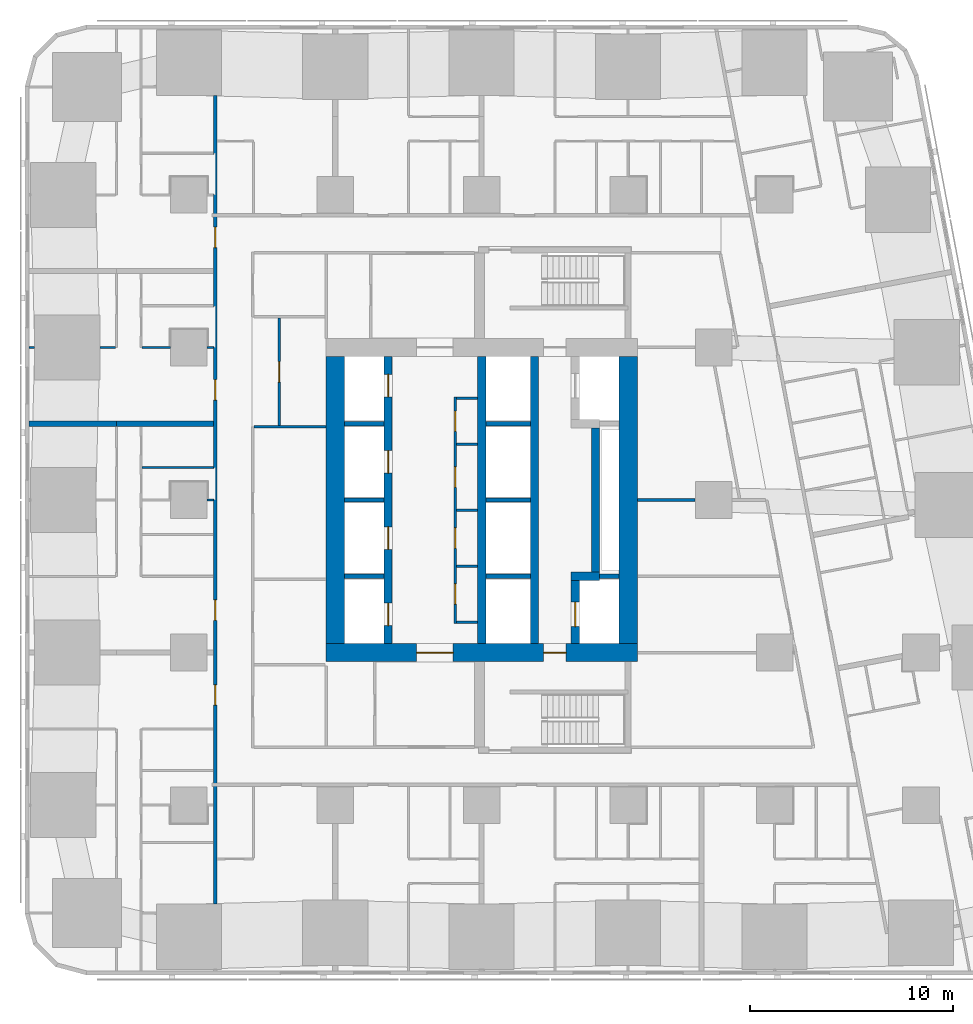
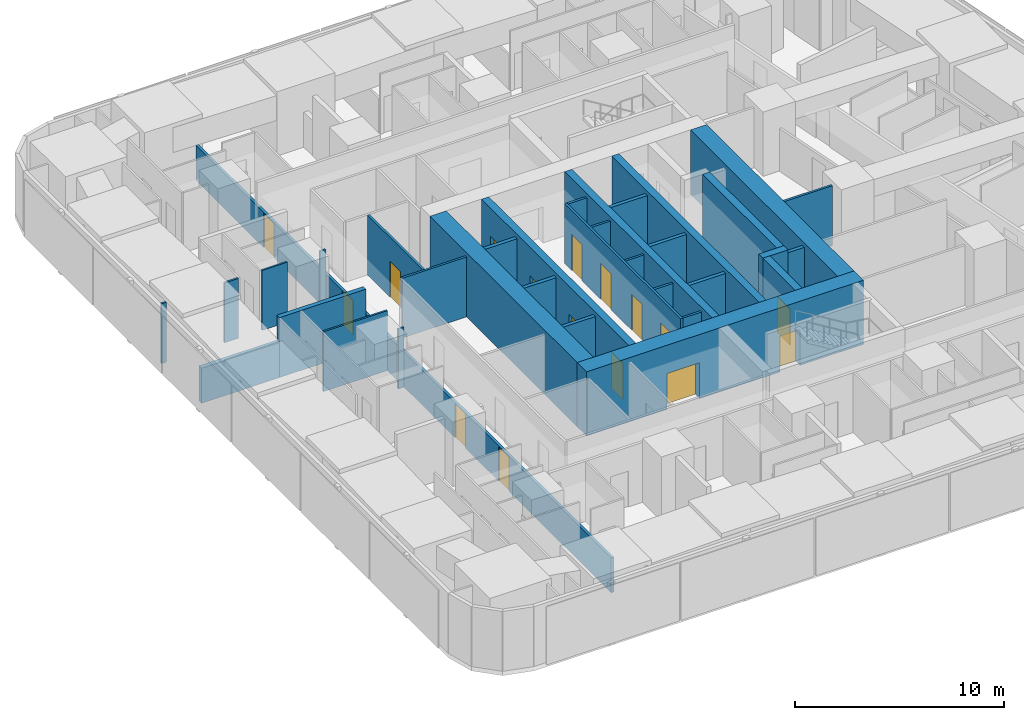
# One storey, part 6 of 17: 34 walls, 16 doors, 16 openings.
"""IFC4 building model written with IfcOpenShell, lengths in metres."""

from ifc_helpers import new_model, si_unit, direction, frame, frame_2d, origin, place, context, subcontext, project, spatial, rectangle, extrude, material, layer, layer_set, type_object, element, fill, save


model = new_model("IFC4")

# Units and contexts
model_context = context("Model", 3, precision=1e-05, world=origin(), true_north=direction((0.0, 1.0)))
body_context = subcontext(model_context, "Body", "Model", "MODEL_VIEW")
ifc_project = project(units=[si_unit("LENGTHUNIT", "METRE"), si_unit("AREAUNIT", "SQUARE_METRE"), si_unit("VOLUMEUNIT", "CUBIC_METRE"), si_unit("PLANEANGLEUNIT", "RADIAN"), si_unit("MASSUNIT", "GRAM", prefix="KILO")], contexts=[model_context])

# Site, building, storey
site_placement = place(None, origin())
site = spatial("IfcSite", under=ifc_project, at=site_placement, CompositionType="ELEMENT")
building_placement = place(site_placement, origin())
building = spatial("IfcBuilding", under=site, at=building_placement, Name="Sheger Commons Tower", CompositionType="ELEMENT")
storey_placement = place(building_placement, frame((0.0, 0.0, 27.5)))
storey = spatial("IfcBuildingStorey", under=building, at=storey_placement, Name="L06", CompositionType="ELEMENT", Elevation=27.5)

# Wall, openings, doors
ifc_material_1 = material(Name="Concrete C50/60", Category="concrete")
ifc_layer_1 = layer(ifc_material_1, 0.39990234375)
ifc_layer_set_1 = layer_set([ifc_layer_1], Name="CORE INNER WALL 400")
wall_type_1 = type_object("IfcWallType", Name="CORE INNER WALL 400", PredefinedType="SHEAR", material=ifc_layer_set_1)
wall_1_placement = place(storey_placement, frame((17.0, 15.449951171875, 0.0), z_axis=(0.0, 0.0, 1.0), x_axis=(0.0, 1.0, 0.0)))
wall_1 = element("IfcWall", 1, at=wall_1_placement, inside=storey, type_object=wall_type_1, Name="Core inner wall A L06", PredefinedType="SHEAR", context=body_context, shape_type="SweptSolid", body=[
    extrude(rectangle(XDim=14.10009765625, YDim=0.39990234375, at=frame_2d((7.050048828125, 0.0))), origin(), (0.0, 0.0, 1.0), 3.75),
])
opening_1_placement = place(wall_1_placement, frame((0.875, 0.0, 0.0)))
opening_1 = element("IfcOpeningElement", 2, at=opening_1_placement, cuts=wall_1, Name="Opening LD", PredefinedType="OPENING", context=body_context, shape_type="SweptSolid", body=[
    extrude(rectangle(XDim=1.10009765625, YDim=2.10009765625, at=frame_2d((0.550048828125, 1.050048828125))), frame((0.0, 0.2099609375, 0.0), z_axis=(0.0, -1.0, 0.0), x_axis=(1.0, 0.0, 0.0)), (0.0, 0.0, 1.0), 0.419921875),
])
opening_2_placement = place(wall_1_placement, frame((4.625, 0.0, 0.0)))
opening_2 = element("IfcOpeningElement", 3, at=opening_2_placement, cuts=wall_1, Name="Opening LD", PredefinedType="OPENING", context=body_context, shape_type="SweptSolid", body=[
    extrude(rectangle(XDim=1.10009765625, YDim=2.10009765625, at=frame_2d((0.550048828125, 1.050048828125))), frame((0.0, 0.2099609375, 0.0), z_axis=(0.0, -1.0, 0.0), x_axis=(1.0, 0.0, 0.0)), (0.0, 0.0, 1.0), 0.419921875),
])
opening_3_placement = place(wall_1_placement, frame((8.375, 0.0, 0.0)))
opening_3 = element("IfcOpeningElement", 4, at=opening_3_placement, cuts=wall_1, Name="Opening LD", PredefinedType="OPENING", context=body_context, shape_type="SweptSolid", body=[
    extrude(rectangle(XDim=1.10009765625, YDim=2.10009765625, at=frame_2d((0.550048828125, 1.050048828125))), frame((0.0, 0.2099609375, 0.0), z_axis=(0.0, -1.0, 0.0), x_axis=(1.0, 0.0, 0.0)), (0.0, 0.0, 1.0), 0.419921875),
])
opening_4_placement = place(wall_1_placement, frame((12.125, 0.0, 0.0)))
opening_4 = element("IfcOpeningElement", 5, at=opening_4_placement, cuts=wall_1, Name="Opening LD", PredefinedType="OPENING", context=body_context, shape_type="SweptSolid", body=[
    extrude(rectangle(XDim=1.10009765625, YDim=2.10009765625, at=frame_2d((0.550048828125, 1.050048828125))), frame((0.0, 0.2099609375, 0.0), z_axis=(0.0, -1.0, 0.0), x_axis=(1.0, 0.0, 0.0)), (0.0, 0.0, 1.0), 0.419921875),
])
ifc_material_2 = material(Name="Steel door set, fire rated", Category="steel")
door_type_1 = type_object("IfcDoorType", Name="LIFT LANDING DOOR 1100x2100", OperationType="DOUBLE_DOOR_SLIDING", PredefinedType="DOOR", material=ifc_material_2)
door_1_placement = place(opening_1_placement, origin())
door_1 = element("IfcDoor", 6, at=door_1_placement, inside=storey, type_object=door_type_1, Name="Lift LA1 landing door", OperationType="DOUBLE_DOOR_SLIDING", OverallHeight=2.10009765625, OverallWidth=1.10009765625, PredefinedType="DOOR", context=body_context, shape_type="SweptSolid", body=[
    extrude(rectangle(XDim=1.10009765625, YDim=2.10009765625, at=frame_2d((0.550048828125, 1.050048828125))), frame((0.0, 0.02490234375, 0.0), z_axis=(0.0, -1.0, 0.0), x_axis=(1.0, 0.0, 0.0)), (0.0, 0.0, 1.0), 0.050048828125),
])
fill(opening_1, door_1)
door_2_placement = place(opening_2_placement, origin())
door_2 = element("IfcDoor", 7, at=door_2_placement, inside=storey, type_object=door_type_1, Name="Lift LA2 landing door", OperationType="DOUBLE_DOOR_SLIDING", OverallHeight=2.10009765625, OverallWidth=1.10009765625, PredefinedType="DOOR", context=body_context, shape_type="SweptSolid", body=[
    extrude(rectangle(XDim=1.10009765625, YDim=2.10009765625, at=frame_2d((0.550048828125, 1.050048828125))), frame((0.0, 0.02490234375, 0.0), z_axis=(0.0, -1.0, 0.0), x_axis=(1.0, 0.0, 0.0)), (0.0, 0.0, 1.0), 0.050048828125),
])
fill(opening_2, door_2)
door_3_placement = place(opening_3_placement, origin())
door_3 = element("IfcDoor", 8, at=door_3_placement, inside=storey, type_object=door_type_1, Name="Lift LA3 landing door", OperationType="DOUBLE_DOOR_SLIDING", OverallHeight=2.10009765625, OverallWidth=1.10009765625, PredefinedType="DOOR", context=body_context, shape_type="SweptSolid", body=[
    extrude(rectangle(XDim=1.10009765625, YDim=2.10009765625, at=frame_2d((0.550048828125, 1.050048828125))), frame((0.0, 0.02490234375, 0.0), z_axis=(0.0, -1.0, 0.0), x_axis=(1.0, 0.0, 0.0)), (0.0, 0.0, 1.0), 0.050048828125),
])
fill(opening_3, door_3)
door_4_placement = place(opening_4_placement, origin())
door_4 = element("IfcDoor", 9, at=door_4_placement, inside=storey, type_object=door_type_1, Name="Lift LA4 landing door", OperationType="DOUBLE_DOOR_SLIDING", OverallHeight=2.10009765625, OverallWidth=1.10009765625, PredefinedType="DOOR", context=body_context, shape_type="SweptSolid", body=[
    extrude(rectangle(XDim=1.10009765625, YDim=2.10009765625, at=frame_2d((0.550048828125, 1.050048828125))), frame((0.0, 0.02490234375, 0.0), z_axis=(0.0, -1.0, 0.0), x_axis=(1.0, 0.0, 0.0)), (0.0, 0.0, 1.0), 0.050048828125),
])
fill(opening_4, door_4)

# Walls
for number, where, z_axis, x_axis, name in (
    (10, (21.60009765625, 15.449951171875, 0.0), (0.0, 0.0, 1.0), (0.0, 1.0, 0.0), "Core inner wall L L06"),
    (11, (24.199951171875, 15.449951171875, 0.0), (0.0, 0.0, 1.0), (0.0, 1.0, 0.0), "Core inner wall B L06"),
):
    element("IfcWall", number, at=place(storey_placement, frame(where, z_axis=z_axis, x_axis=x_axis)), inside=storey, type_object=wall_type_1, Name=name, PredefinedType="SHEAR", context=body_context, shape_type="SweptSolid", body=[
        extrude(rectangle(XDim=14.10009765625, YDim=0.39990234375, at=frame_2d((7.050048828125, 0.0))), origin(), (0.0, 0.0, 1.0), 3.75),
    ])

# Wall, opening, door
wall_2_placement = place(storey_placement, frame((26.199951171875, 15.449951171875, 0.0), z_axis=(0.0, 0.0, 1.0), x_axis=(0.0, 1.0, 0.0)))
wall_2 = element("IfcWall", 12, at=wall_2_placement, inside=storey, type_object=wall_type_1, Name="Core inner wall F L06", PredefinedType="SHEAR", context=body_context, shape_type="SweptSolid", body=[
    extrude(rectangle(XDim=3.10009765625, YDim=0.39990234375, at=frame_2d((1.550048828125, 0.0))), origin(), (0.0, 0.0, 1.0), 3.75),
])
opening_5_placement = place(wall_2_placement, frame((0.824951171875, 0.0, 0.0)))
opening_5 = element("IfcOpeningElement", 13, at=opening_5_placement, cuts=wall_2, Name="Opening LD2", PredefinedType="OPENING", context=body_context, shape_type="SweptSolid", body=[
    extrude(rectangle(XDim=1.199951171875, YDim=2.10009765625, at=frame_2d((0.60009765625, 1.050048828125))), frame((0.0, 0.2099609375, 0.0), z_axis=(0.0, -1.0, 0.0), x_axis=(1.0, 0.0, 0.0)), (0.0, 0.0, 1.0), 0.419921875),
])
ifc_material_3 = material(Name="Steel door set, fire rated", Category="steel")
door_type_2 = type_object("IfcDoorType", Name="FIREFIGHTING LIFT LANDING DOOR 1200x2100", OperationType="DOUBLE_DOOR_SLIDING", PredefinedType="DOOR", material=ifc_material_3)
door_5_placement = place(opening_5_placement, origin())
door_5 = element("IfcDoor", 14, at=door_5_placement, inside=storey, type_object=door_type_2, Name="Lift FL1 landing door", OperationType="DOUBLE_DOOR_SLIDING", OverallHeight=2.10009765625, OverallWidth=1.199951171875, PredefinedType="DOOR", context=body_context, shape_type="SweptSolid", body=[
    extrude(rectangle(XDim=1.199951171875, YDim=2.10009765625, at=frame_2d((0.60009765625, 1.050048828125))), frame((0.0, 0.02490234375, 0.0), z_axis=(0.0, -1.0, 0.0), x_axis=(1.0, 0.0, 0.0)), (0.0, 0.0, 1.0), 0.050048828125),
])
fill(opening_5, door_5)

# Walls
wall_3_placement = place(storey_placement, frame((26.0, 18.75, 0.0), z_axis=(0.0, 0.0, 1.0), x_axis=(1.0, 0.0, 0.0)))
element("IfcWall", 15, at=wall_3_placement, inside=storey, type_object=wall_type_1, Name="Core inner wall F south return L06", PredefinedType="SHEAR", context=body_context, shape_type="SweptSolid", body=[
    extrude(rectangle(XDim=1.39990234375, YDim=0.39990234375, at=frame_2d((0.699951171875, 0.0))), origin(), (0.0, 0.0, 1.0), 3.75),
])
wall_4_placement = place(storey_placement, frame((27.199951171875, 18.949951171875, 0.0), z_axis=(0.0, 0.0, 1.0), x_axis=(0.0, 1.0, 0.0)))
element("IfcWall", 16, at=wall_4_placement, inside=storey, type_object=wall_type_1, Name="Core inner wall F middle L06", PredefinedType="SHEAR", context=body_context, shape_type="SweptSolid", body=[
    extrude(rectangle(XDim=7.10009765625, YDim=0.39990234375, at=frame_2d((3.550048828125, 0.0))), origin(), (0.0, 0.0, 1.0), 3.75),
])

# Wall, openings, doors
ifc_material_4 = material(Name="Concrete C50/60", Category="concrete")
ifc_layer_2 = layer(ifc_material_4, 0.89990234375)
ifc_layer_set_2 = layer_set([ifc_layer_2], Name="CORE WALL 900")
wall_type_2 = type_object("IfcWallType", Name="CORE WALL 900", PredefinedType="SHEAR", material=ifc_layer_set_2)
wall_5_placement = place(storey_placement, frame((13.949951171875, 15.0, 0.0), z_axis=(0.0, 0.0, 1.0), x_axis=(1.0, 0.0, 0.0)))
wall_5 = element("IfcWall", 17, at=wall_5_placement, inside=storey, type_object=wall_type_2, Name="Core wall south L06", PredefinedType="SHEAR", context=body_context, shape_type="SweptSolid", body=[
    extrude(rectangle(XDim=15.300048828125, YDim=0.89990234375, at=frame_2d((7.64990234375, 0.0))), origin(), (0.0, 0.0, 1.0), 3.75),
])
opening_6_placement = place(wall_5_placement, frame((4.449951171875, 0.0, 0.0)))
opening_6 = element("IfcOpeningElement", 18, at=opening_6_placement, cuts=wall_5, Name="Opening D6", PredefinedType="OPENING", context=body_context, shape_type="SweptSolid", body=[
    extrude(rectangle(XDim=1.800048828125, YDim=2.10009765625, at=frame_2d((0.89990234375, 1.050048828125))), frame((0.0, 0.4599609375, 0.0), z_axis=(0.0, -1.0, 0.0), x_axis=(1.0, 0.0, 0.0)), (0.0, 0.0, 1.0), 0.919921875),
])
opening_7_placement = place(wall_5_placement, frame((10.699951171875, 0.0, 0.0)))
opening_7 = element("IfcOpeningElement", 19, at=opening_7_placement, cuts=wall_5, Name="Opening D5", PredefinedType="OPENING", context=body_context, shape_type="SweptSolid", body=[
    extrude(rectangle(XDim=1.10009765625, YDim=2.10009765625, at=frame_2d((0.550048828125, 1.050048828125))), frame((0.0, 0.4599609375, 0.0), z_axis=(0.0, -1.0, 0.0), x_axis=(1.0, 0.0, 0.0)), (0.0, 0.0, 1.0), 0.919921875),
])
ifc_material_5 = material(Name="Steel door set, fire rated", Category="steel")
door_type_3 = type_object("IfcDoorType", Name="LOBBY DOUBLE DOOR 1800x2100", OperationType="DOUBLE_DOOR_SINGLE_SWING", PredefinedType="DOOR", material=ifc_material_5)
door_6_placement = place(opening_6_placement, origin())
door_6 = element("IfcDoor", 20, at=door_6_placement, inside=storey, type_object=door_type_3, Name="Lift lobby door", OperationType="DOUBLE_DOOR_SINGLE_SWING", OverallHeight=2.10009765625, OverallWidth=1.800048828125, PredefinedType="DOOR", context=body_context, shape_type="SweptSolid", body=[
    extrude(rectangle(XDim=1.800048828125, YDim=2.10009765625, at=frame_2d((0.89990234375, 1.050048828125))), frame((0.0, 0.02490234375, 0.0), z_axis=(0.0, -1.0, 0.0), x_axis=(1.0, 0.0, 0.0)), (0.0, 0.0, 1.0), 0.050048828125),
])
fill(opening_6, door_6)
ifc_material_6 = material(Name="Steel door set, fire rated", Category="steel")
door_type_4 = type_object("IfcDoorType", Name="STAIR DOOR 1100x2100", OperationType="NOTDEFINED", PredefinedType="DOOR", material=ifc_material_6)
door_7_placement = place(opening_7_placement, origin())
door_7 = element("IfcDoor", 21, at=door_7_placement, inside=storey, type_object=door_type_4, Name="Fire-fighting lobby door", OperationType="SINGLE_SWING_RIGHT", OverallHeight=2.10009765625, OverallWidth=1.10009765625, PredefinedType="DOOR", context=body_context, shape_type="SweptSolid", body=[
    extrude(rectangle(XDim=1.10009765625, YDim=2.10009765625, at=frame_2d((0.550048828125, 1.050048828125))), frame((0.0, 0.02490234375, 0.0), z_axis=(0.0, -1.0, 0.0), x_axis=(1.0, 0.0, 0.0)), (0.0, 0.0, 1.0), 0.050048828125),
])
fill(opening_7, door_7)

# Walls
for number, where, z_axis, x_axis, name in (
    (22, (14.39990234375, 15.449951171875, 0.0), (0.0, 0.0, 1.0), (0.0, 1.0, 0.0), "Core wall west L06"),
    (23, (28.800048828125, 15.449951171875, 0.0), (0.0, 0.0, 1.0), (0.0, 1.0, 0.0), "Core wall east L06"),
):
    element("IfcWall", number, at=place(storey_placement, frame(where, z_axis=z_axis, x_axis=x_axis)), inside=storey, type_object=wall_type_2, Name=name, PredefinedType="SHEAR", context=body_context, shape_type="SweptSolid", body=[
        extrude(rectangle(XDim=14.10009765625, YDim=0.89990234375, at=frame_2d((7.050048828125, 0.0))), origin(), (0.0, 0.0, 1.0), 3.75),
    ])

# Wall, openings, doors
ifc_material_7 = material(Name="Hollow concrete block masonry, skimmed both sides", Category="masonry")
ifc_layer_3 = layer(ifc_material_7, 0.14990234375)
ifc_layer_set_3 = layer_set([ifc_layer_3], Name="CORRIDOR WALL 150")
wall_type_3 = type_object("IfcWallType", Name="CORRIDOR WALL 150", PredefinedType="SOLIDWALL", material=ifc_layer_set_3)
wall_6_placement = place(storey_placement, frame((8.5, 2.6259765625, 0.0), z_axis=(0.0, 0.0, 1.0), x_axis=(0.0, 1.0, 0.0)))
wall_6 = element("IfcWall", 24, at=wall_6_placement, inside=storey, type_object=wall_type_3, Name="Corridor wall L06", PredefinedType="SOLIDWALL", context=body_context, shape_type="SweptSolid", body=[
    extrude(rectangle(XDim=39.77294921875, YDim=0.14990234375, at=frame_2d((19.886474609375, 0.0))), origin(), (0.0, 0.0, 1.0), 2.050048828125),
])
opening_8_placement = place(wall_6_placement, frame((9.785888671875, 0.0, 0.0)))
opening_8 = element("IfcOpeningElement", 25, at=opening_8_placement, cuts=wall_6, Name="Opening D10", PredefinedType="OPENING", context=body_context, shape_type="SweptSolid", body=[
    extrude(rectangle(XDim=1.0, YDim=2.0, at=frame_2d((0.5, 1.0))), frame((0.0, 0.0849609375, 0.0), z_axis=(0.0, -1.0, 0.0), x_axis=(1.0, 0.0, 0.0)), (0.0, 0.0, 1.0), 0.169921875),
])
opening_9_placement = place(wall_6_placement, frame((13.9609375, 0.0, 0.0)))
opening_9 = element("IfcOpeningElement", 26, at=opening_9_placement, cuts=wall_6, Name="Opening D10", PredefinedType="OPENING", context=body_context, shape_type="SweptSolid", body=[
    extrude(rectangle(XDim=1.0, YDim=2.0, at=frame_2d((0.5, 1.0))), frame((0.0, 0.0849609375, 0.0), z_axis=(0.0, -1.0, 0.0), x_axis=(1.0, 0.0, 0.0)), (0.0, 0.0, 1.0), 0.169921875),
])
opening_10_placement = place(wall_6_placement, frame((24.787109375, 0.0, 0.0)))
opening_10 = element("IfcOpeningElement", 27, at=opening_10_placement, cuts=wall_6, Name="Opening D10", PredefinedType="OPENING", context=body_context, shape_type="SweptSolid", body=[
    extrude(rectangle(XDim=1.0, YDim=2.0, at=frame_2d((0.5, 1.0))), frame((0.0, 0.0849609375, 0.0), z_axis=(0.0, -1.0, 0.0), x_axis=(1.0, 0.0, 0.0)), (0.0, 0.0, 1.0), 0.169921875),
])
opening_11_placement = place(wall_6_placement, frame((32.287109375, 0.0, 0.0)))
opening_11 = element("IfcOpeningElement", 28, at=opening_11_placement, cuts=wall_6, Name="Opening D10", PredefinedType="OPENING", context=body_context, shape_type="SweptSolid", body=[
    extrude(rectangle(XDim=1.0, YDim=2.0, at=frame_2d((0.5, 1.0))), frame((0.0, 0.0849609375, 0.0), z_axis=(0.0, -1.0, 0.0), x_axis=(1.0, 0.0, 0.0)), (0.0, 0.0, 1.0), 0.169921875),
])
ifc_material_8 = material(Name="Steel door set, fire rated", Category="steel")
door_type_5 = type_object("IfcDoorType", Name="FLAT ENTRANCE DOOR 1000x2000", OperationType="NOTDEFINED", PredefinedType="DOOR", material=ifc_material_8)
door_8_placement = place(opening_8_placement, origin())
door_8 = element("IfcDoor", 29, at=door_8_placement, inside=storey, type_object=door_type_5, Name="Flat entrance door", OperationType="SINGLE_SWING_LEFT", OverallHeight=2.0, OverallWidth=1.0, PredefinedType="DOOR", context=body_context, shape_type="SweptSolid", body=[
    extrude(rectangle(XDim=1.0, YDim=2.0, at=frame_2d((0.5, 1.0))), frame((0.0, 0.02490234375, 0.0), z_axis=(0.0, -1.0, 0.0), x_axis=(1.0, 0.0, 0.0)), (0.0, 0.0, 1.0), 0.050048828125),
])
fill(opening_8, door_8)
door_9_placement = place(opening_9_placement, origin())
door_9 = element("IfcDoor", 30, at=door_9_placement, inside=storey, type_object=door_type_5, Name="Flat entrance door", OperationType="SINGLE_SWING_RIGHT", OverallHeight=2.0, OverallWidth=1.0, PredefinedType="DOOR", context=body_context, shape_type="SweptSolid", body=[
    extrude(rectangle(XDim=1.0, YDim=2.0, at=frame_2d((0.5, 1.0))), frame((0.0, 0.02490234375, 0.0), z_axis=(0.0, -1.0, 0.0), x_axis=(1.0, 0.0, 0.0)), (0.0, 0.0, 1.0), 0.050048828125),
])
fill(opening_9, door_9)
door_10_placement = place(opening_10_placement, origin())
door_10 = element("IfcDoor", 31, at=door_10_placement, inside=storey, type_object=door_type_5, Name="Flat entrance door", OperationType="SINGLE_SWING_LEFT", OverallHeight=2.0, OverallWidth=1.0, PredefinedType="DOOR", context=body_context, shape_type="SweptSolid", body=[
    extrude(rectangle(XDim=1.0, YDim=2.0, at=frame_2d((0.5, 1.0))), frame((0.0, 0.02490234375, 0.0), z_axis=(0.0, -1.0, 0.0), x_axis=(1.0, 0.0, 0.0)), (0.0, 0.0, 1.0), 0.050048828125),
])
fill(opening_10, door_10)
door_11_placement = place(opening_11_placement, origin())
door_11 = element("IfcDoor", 32, at=door_11_placement, inside=storey, type_object=door_type_5, Name="Flat entrance door", OperationType="SINGLE_SWING_LEFT", OverallHeight=2.0, OverallWidth=1.0, PredefinedType="DOOR", context=body_context, shape_type="SweptSolid", body=[
    extrude(rectangle(XDim=1.0, YDim=2.0, at=frame_2d((0.5, 1.0))), frame((0.0, 0.02490234375, 0.0), z_axis=(0.0, -1.0, 0.0), x_axis=(1.0, 0.0, 0.0)), (0.0, 0.0, 1.0), 0.050048828125),
])
fill(opening_11, door_11)

# Walls
ifc_material_9 = material(Name="Dense concrete block masonry, plastered both sides (separating wall between flats)", Category="masonry")
ifc_layer_4 = layer(ifc_material_9, 0.25)
ifc_layer_set_4 = layer_set([ifc_layer_4], Name="DEMISING WALL 250")
wall_type_4 = type_object("IfcWallType", Name="DEMISING WALL 250", PredefinedType="SOLIDWALL", material=ifc_layer_set_4)
wall_7_placement = place(storey_placement, frame((-0.64990234375, 26.25, 0.0), z_axis=(0.0, 0.0, 1.0), x_axis=(1.0, 0.0, 0.0)))
element("IfcWall", 33, at=wall_7_placement, inside=storey, type_object=wall_type_4, Name="Demising wall L06", PredefinedType="SOLIDWALL", context=body_context, shape_type="SweptSolid", body=[
    extrude(rectangle(XDim=4.2998046875, YDim=0.25, at=frame_2d((2.14990234375, 0.0))), origin(), (0.0, 0.0, 1.0), 2.050048828125),
])
wall_8_placement = place(storey_placement, frame((3.64990234375, 26.25, 0.0), z_axis=(0.0, 0.0, 1.0), x_axis=(1.0, 0.0, 0.0)))
element("IfcWall", 34, at=wall_8_placement, inside=storey, type_object=wall_type_4, Name="Demising wall L06", PredefinedType="SOLIDWALL", context=body_context, shape_type="SweptSolid", body=[
    extrude(rectangle(XDim=4.775146484375, YDim=0.25, at=frame_2d((2.3876953125, 0.0))), origin(), (0.0, 0.0, 1.0), 3.5),
])
ifc_material_10 = material(Name="Gypsum board on steel studs", Category="steel")
ifc_layer_5 = layer(ifc_material_10, 0.10009765625)
ifc_layer_set_5 = layer_set([ifc_layer_5], Name="PARTITION 100")
wall_type_5 = type_object("IfcWallType", Name="PARTITION 100", PredefinedType="PARTITIONING", material=ifc_layer_set_5)
wall_9_placement = place(storey_placement, frame((8.10107421875, 22.5, 0.0), z_axis=(0.0, 0.0, 1.0), x_axis=(1.0, 0.0, 0.0)))
element("IfcWall", 35, at=wall_9_placement, inside=storey, type_object=wall_type_5, Name="Partition L06", PredefinedType="PARTITIONING", context=body_context, shape_type="SweptSolid", body=[
    extrude(rectangle(XDim=0.323974609375, YDim=0.10009765625, at=frame_2d((0.162109375, 0.0))), origin(), (0.0, 0.0, 1.0), 3.5),
])
wall_10_placement = place(storey_placement, frame((4.89990234375, 24.10009765625, 0.0), z_axis=(0.0, 0.0, 1.0), x_axis=(1.0, 0.0, 0.0)))
element("IfcWall", 36, at=wall_10_placement, inside=storey, type_object=wall_type_5, Name="Partition L06", PredefinedType="PARTITIONING", context=body_context, shape_type="SweptSolid", body=[
    extrude(rectangle(XDim=3.525146484375, YDim=0.10009765625, at=frame_2d((1.7626953125, 0.0))), origin(), (0.0, 0.0, 1.0), 3.5),
])
wall_11_placement = place(storey_placement, frame((-0.64990234375, 30.0, 0.0), z_axis=(0.0, 0.0, 1.0), x_axis=(1.0, 0.0, 0.0)))
element("IfcWall", 37, at=wall_11_placement, inside=storey, type_object=wall_type_5, Name="Partition L06", PredefinedType="PARTITIONING", context=body_context, shape_type="SweptSolid", body=[
    extrude(rectangle(XDim=0.27392578125, YDim=0.10009765625, at=frame_2d((0.136962890625, 0.0))), origin(), (0.0, 0.0, 1.0), 3.5),
])
wall_12_placement = place(storey_placement, frame((2.825927734375, 30.0, 0.0), z_axis=(0.0, 0.0, 1.0), x_axis=(1.0, 0.0, 0.0)))
element("IfcWall", 38, at=wall_12_placement, inside=storey, type_object=wall_type_5, Name="Partition L06", PredefinedType="PARTITIONING", context=body_context, shape_type="SweptSolid", body=[
    extrude(rectangle(XDim=0.774169921875, YDim=0.10009765625, at=frame_2d((0.38720703125, 0.0))), origin(), (0.0, 0.0, 1.0), 3.5),
])
wall_13_placement = place(storey_placement, frame((4.89990234375, 30.0, 0.0), z_axis=(0.0, 0.0, 1.0), x_axis=(1.0, 0.0, 0.0)))
element("IfcWall", 39, at=wall_13_placement, inside=storey, type_object=wall_type_5, Name="Partition L06", PredefinedType="PARTITIONING", context=body_context, shape_type="SweptSolid", body=[
    extrude(rectangle(XDim=1.399169921875, YDim=0.10009765625, at=frame_2d((0.69970703125, 0.0))), origin(), (0.0, 0.0, 1.0), 3.5),
])
wall_14_placement = place(storey_placement, frame((8.10107421875, 30.0, 0.0), z_axis=(0.0, 0.0, 1.0), x_axis=(1.0, 0.0, 0.0)))
element("IfcWall", 40, at=wall_14_placement, inside=storey, type_object=wall_type_5, Name="Partition L06", PredefinedType="PARTITIONING", context=body_context, shape_type="SweptSolid", body=[
    extrude(rectangle(XDim=0.323974609375, YDim=0.10009765625, at=frame_2d((0.162109375, 0.0))), origin(), (0.0, 0.0, 1.0), 3.5),
])

# Wall, opening, door
ifc_material_11 = material(Name="Gypsum board on steel studs, two layers each side, fire rated", Category="steel")
ifc_layer_6 = layer(ifc_material_11, 0.125)
ifc_layer_set_6 = layer_set([ifc_layer_6], Name="SERVICE WALL 125")
wall_type_6 = type_object("IfcWallType", Name="SERVICE WALL 125", PredefinedType="PARTITIONING", material=ifc_layer_set_6)
wall_15_placement = place(storey_placement, frame((11.64990234375, 26.1630859375, 0.0), z_axis=(0.0, 0.0, 1.0), x_axis=(0.0, 1.0, 0.0)))
wall_15 = element("IfcWall", 41, at=wall_15_placement, inside=storey, type_object=wall_type_6, Name="Service room wall L06", PredefinedType="PARTITIONING", context=body_context, shape_type="SweptSolid", body=[
    extrude(rectangle(XDim=5.27490234375, YDim=0.125, at=frame_2d((2.637451171875, 0.0))), origin(), (0.0, 0.0, 1.0), 3.5),
])
opening_12_placement = place(wall_15_placement, frame((2.136962890625, 0.0, 0.0)))
opening_12 = element("IfcOpeningElement", 42, at=opening_12_placement, cuts=wall_15, Name="Opening D4", PredefinedType="OPENING", context=body_context, shape_type="SweptSolid", body=[
    extrude(rectangle(XDim=1.0, YDim=2.10009765625, at=frame_2d((0.5, 1.050048828125))), frame((0.0, 0.072509765625, 0.0), z_axis=(0.0, -1.0, 0.0), x_axis=(1.0, 0.0, 0.0)), (0.0, 0.0, 1.0), 0.14501953125),
])
ifc_material_12 = material(Name="Steel door set, fire rated", Category="steel")
door_type_6 = type_object("IfcDoorType", Name="SERVICE DOOR 1000x2100", OperationType="NOTDEFINED", PredefinedType="DOOR", material=ifc_material_12)
door_12_placement = place(opening_12_placement, origin())
door_12 = element("IfcDoor", 43, at=door_12_placement, inside=storey, type_object=door_type_6, Name="Laundry and drying room door", OperationType="SINGLE_SWING_RIGHT", OverallHeight=2.10009765625, OverallWidth=1.0, PredefinedType="DOOR", context=body_context, shape_type="SweptSolid", body=[
    extrude(rectangle(XDim=1.0, YDim=2.10009765625, at=frame_2d((0.5, 1.050048828125))), frame((0.0, 0.02490234375, 0.0), z_axis=(0.0, -1.0, 0.0), x_axis=(1.0, 0.0, 0.0)), (0.0, 0.0, 1.0), 0.050048828125),
])
fill(opening_12, door_12)

# Walls
wall_16_placement = place(storey_placement, frame((10.4130859375, 26.10009765625, 0.0), z_axis=(0.0, 0.0, 1.0), x_axis=(1.0, 0.0, 0.0)))
element("IfcWall", 44, at=wall_16_placement, inside=storey, type_object=wall_type_6, Name="Service room wall L06", PredefinedType="PARTITIONING", context=body_context, shape_type="SweptSolid", body=[
    extrude(rectangle(XDim=3.536865234375, YDim=0.125, at=frame_2d((1.7685546875, 0.0))), origin(), (0.0, 0.0, 1.0), 3.5),
])
wall_17_placement = place(storey_placement, frame((29.25, 22.5, 0.0), z_axis=(0.0, 0.0, 1.0), x_axis=(1.0, 0.0, 0.0)))
element("IfcWall", 45, at=wall_17_placement, inside=storey, type_object=wall_type_6, Name="Service room wall L06", PredefinedType="PARTITIONING", context=body_context, shape_type="SweptSolid", body=[
    extrude(rectangle(XDim=2.84912109375, YDim=0.125, at=frame_2d((1.424560546875, 0.0))), origin(), (0.0, 0.0, 1.0), 3.5),
])

# Wall, openings, doors
wall_18_placement = place(storey_placement, frame((20.300048828125, 16.43798828125, 0.0), z_axis=(0.0, 0.0, 1.0), x_axis=(0.0, 1.0, 0.0)))
wall_18 = element("IfcWall", 46, at=wall_18_placement, inside=storey, type_object=wall_type_6, Name="Service room wall L06", PredefinedType="PARTITIONING", context=body_context, shape_type="SweptSolid", body=[
    extrude(rectangle(XDim=11.1240234375, YDim=0.125, at=frame_2d((5.56201171875, 0.0))), origin(), (0.0, 0.0, 1.0), 3.5),
])
opening_13_placement = place(wall_18_placement, frame((0.93701171875, 0.0, 0.0)))
opening_13 = element("IfcOpeningElement", 47, at=opening_13_placement, cuts=wall_18, Name="Opening D4", PredefinedType="OPENING", context=body_context, shape_type="SweptSolid", body=[
    extrude(rectangle(XDim=1.0, YDim=2.10009765625, at=frame_2d((0.5, 1.050048828125))), frame((0.0, 0.072509765625, 0.0), z_axis=(0.0, -1.0, 0.0), x_axis=(1.0, 0.0, 0.0)), (0.0, 0.0, 1.0), 0.14501953125),
])
opening_14_placement = place(wall_18_placement, frame((3.68701171875, 0.0, 0.0)))
opening_14 = element("IfcOpeningElement", 48, at=opening_14_placement, cuts=wall_18, Name="Opening D4", PredefinedType="OPENING", context=body_context, shape_type="SweptSolid", body=[
    extrude(rectangle(XDim=1.0, YDim=2.10009765625, at=frame_2d((0.5, 1.050048828125))), frame((0.0, 0.072509765625, 0.0), z_axis=(0.0, -1.0, 0.0), x_axis=(1.0, 0.0, 0.0)), (0.0, 0.0, 1.0), 0.14501953125),
])
opening_15_placement = place(wall_18_placement, frame((6.68701171875, 0.0, 0.0)))
opening_15 = element("IfcOpeningElement", 49, at=opening_15_placement, cuts=wall_18, Name="Opening D4", PredefinedType="OPENING", context=body_context, shape_type="SweptSolid", body=[
    extrude(rectangle(XDim=1.0, YDim=2.10009765625, at=frame_2d((0.5, 1.050048828125))), frame((0.0, 0.072509765625, 0.0), z_axis=(0.0, -1.0, 0.0), x_axis=(1.0, 0.0, 0.0)), (0.0, 0.0, 1.0), 0.14501953125),
])
opening_16_placement = place(wall_18_placement, frame((9.43701171875, 0.0, 0.0)))
opening_16 = element("IfcOpeningElement", 50, at=opening_16_placement, cuts=wall_18, Name="Opening D4", PredefinedType="OPENING", context=body_context, shape_type="SweptSolid", body=[
    extrude(rectangle(XDim=1.0, YDim=2.10009765625, at=frame_2d((0.5, 1.050048828125))), frame((0.0, 0.072509765625, 0.0), z_axis=(0.0, -1.0, 0.0), x_axis=(1.0, 0.0, 0.0)), (0.0, 0.0, 1.0), 0.14501953125),
])
door_13_placement = place(opening_13_placement, origin())
door_13 = element("IfcDoor", 51, at=door_13_placement, inside=storey, type_object=door_type_6, Name="Communications cupboard door", OperationType="SINGLE_SWING_RIGHT", OverallHeight=2.10009765625, OverallWidth=1.0, PredefinedType="DOOR", context=body_context, shape_type="SweptSolid", body=[
    extrude(rectangle(XDim=1.0, YDim=2.10009765625, at=frame_2d((0.5, 1.050048828125))), frame((0.0, 0.02490234375, 0.0), z_axis=(0.0, -1.0, 0.0), x_axis=(1.0, 0.0, 0.0)), (0.0, 0.0, 1.0), 0.050048828125),
])
fill(opening_13, door_13)
door_14_placement = place(opening_14_placement, origin())
door_14 = element("IfcDoor", 52, at=door_14_placement, inside=storey, type_object=door_type_6, Name="Electrical cupboard door", OperationType="SINGLE_SWING_RIGHT", OverallHeight=2.10009765625, OverallWidth=1.0, PredefinedType="DOOR", context=body_context, shape_type="SweptSolid", body=[
    extrude(rectangle(XDim=1.0, YDim=2.10009765625, at=frame_2d((0.5, 1.050048828125))), frame((0.0, 0.02490234375, 0.0), z_axis=(0.0, -1.0, 0.0), x_axis=(1.0, 0.0, 0.0)), (0.0, 0.0, 1.0), 0.050048828125),
])
fill(opening_14, door_14)
door_15_placement = place(opening_15_placement, origin())
door_15 = element("IfcDoor", 53, at=door_15_placement, inside=storey, type_object=door_type_6, Name="Cleaner's cupboard door", OperationType="SINGLE_SWING_RIGHT", OverallHeight=2.10009765625, OverallWidth=1.0, PredefinedType="DOOR", context=body_context, shape_type="SweptSolid", body=[
    extrude(rectangle(XDim=1.0, YDim=2.10009765625, at=frame_2d((0.5, 1.050048828125))), frame((0.0, 0.02490234375, 0.0), z_axis=(0.0, -1.0, 0.0), x_axis=(1.0, 0.0, 0.0)), (0.0, 0.0, 1.0), 0.050048828125),
])
fill(opening_15, door_15)
door_16_placement = place(opening_16_placement, origin())
door_16 = element("IfcDoor", 54, at=door_16_placement, inside=storey, type_object=door_type_6, Name="Communications cupboard door", OperationType="SINGLE_SWING_LEFT", OverallHeight=2.10009765625, OverallWidth=1.0, PredefinedType="DOOR", context=body_context, shape_type="SweptSolid", body=[
    extrude(rectangle(XDim=1.0, YDim=2.10009765625, at=frame_2d((0.5, 1.050048828125))), frame((0.0, 0.02490234375, 0.0), z_axis=(0.0, -1.0, 0.0), x_axis=(1.0, 0.0, 0.0)), (0.0, 0.0, 1.0), 0.050048828125),
])
fill(opening_16, door_16)

# Walls
for number, where, z_axis, x_axis, name in (
    (55, (20.363037109375, 16.5, 0.0), (0.0, 0.0, 1.0), (1.0, 0.0, 0.0), "Service room wall L06"),
    (56, (20.363037109375, 27.5, 0.0), (0.0, 0.0, 1.0), (1.0, 0.0, 0.0), "Service room wall L06"),
    (57, (20.363037109375, 19.25, 0.0), (0.0, 0.0, 1.0), (1.0, 0.0, 0.0), "Service room wall L06"),
    (58, (20.363037109375, 22.0, 0.0), (0.0, 0.0, 1.0), (1.0, 0.0, 0.0), "Service room wall L06"),
    (59, (20.363037109375, 25.25, 0.0), (0.0, 0.0, 1.0), (1.0, 0.0, 0.0), "Service room wall L06"),
):
    element("IfcWall", number, at=place(storey_placement, frame(where, z_axis=z_axis, x_axis=x_axis)), inside=storey, type_object=wall_type_6, Name=name, PredefinedType="PARTITIONING", context=body_context, shape_type="SweptSolid", body=[
        extrude(rectangle(XDim=1.036865234375, YDim=0.125, at=frame_2d((0.5185546875, 0.0))), origin(), (0.0, 0.0, 1.0), 3.5),
    ])
ifc_material_13 = material(Name="Hollow concrete block masonry", Category="masonry")
ifc_layer_7 = layer(ifc_material_13, 0.199951171875)
ifc_layer_set_7 = layer_set([ifc_layer_7], Name="SHAFT WALL 200")
wall_type_7 = type_object("IfcWallType", Name="SHAFT WALL 200", PredefinedType="SOLIDWALL", material=ifc_layer_set_7)
wall_19_placement = place(storey_placement, frame((14.85009765625, 18.75, 0.0), z_axis=(0.0, 0.0, 1.0), x_axis=(1.0, 0.0, 0.0)))
element("IfcWall", 60, at=wall_19_placement, inside=storey, type_object=wall_type_7, Name="Lift shaft wall L06", PredefinedType="SOLIDWALL", context=body_context, shape_type="SweptSolid", body=[
    extrude(rectangle(XDim=1.949951171875, YDim=0.199951171875, at=frame_2d((0.97509765625, 0.0))), origin(), (0.0, 0.0, 1.0), 3.5),
])
wall_20_placement = place(storey_placement, frame((21.800048828125, 18.75, 0.0), z_axis=(0.0, 0.0, 1.0), x_axis=(1.0, 0.0, 0.0)))
element("IfcWall", 61, at=wall_20_placement, inside=storey, type_object=wall_type_7, Name="Lift shaft wall L06", PredefinedType="SOLIDWALL", context=body_context, shape_type="SweptSolid", body=[
    extrude(rectangle(XDim=2.199951171875, YDim=0.199951171875, at=frame_2d((1.10009765625, 0.0))), origin(), (0.0, 0.0, 1.0), 3.5),
])
wall_21_placement = place(storey_placement, frame((14.85009765625, 22.5, 0.0), z_axis=(0.0, 0.0, 1.0), x_axis=(1.0, 0.0, 0.0)))
element("IfcWall", 62, at=wall_21_placement, inside=storey, type_object=wall_type_7, Name="Lift shaft wall L06", PredefinedType="SOLIDWALL", context=body_context, shape_type="SweptSolid", body=[
    extrude(rectangle(XDim=1.949951171875, YDim=0.199951171875, at=frame_2d((0.97509765625, 0.0))), origin(), (0.0, 0.0, 1.0), 3.5),
])
wall_22_placement = place(storey_placement, frame((21.800048828125, 22.5, 0.0), z_axis=(0.0, 0.0, 1.0), x_axis=(1.0, 0.0, 0.0)))
element("IfcWall", 63, at=wall_22_placement, inside=storey, type_object=wall_type_7, Name="Lift shaft wall L06", PredefinedType="SOLIDWALL", context=body_context, shape_type="SweptSolid", body=[
    extrude(rectangle(XDim=2.199951171875, YDim=0.199951171875, at=frame_2d((1.10009765625, 0.0))), origin(), (0.0, 0.0, 1.0), 3.5),
])
wall_23_placement = place(storey_placement, frame((14.85009765625, 26.25, 0.0), z_axis=(0.0, 0.0, 1.0), x_axis=(1.0, 0.0, 0.0)))
element("IfcWall", 64, at=wall_23_placement, inside=storey, type_object=wall_type_7, Name="Lift shaft wall L06", PredefinedType="SOLIDWALL", context=body_context, shape_type="SweptSolid", body=[
    extrude(rectangle(XDim=1.949951171875, YDim=0.199951171875, at=frame_2d((0.97509765625, 0.0))), origin(), (0.0, 0.0, 1.0), 3.5),
])
wall_24_placement = place(storey_placement, frame((21.800048828125, 26.25, 0.0), z_axis=(0.0, 0.0, 1.0), x_axis=(1.0, 0.0, 0.0)))
element("IfcWall", 65, at=wall_24_placement, inside=storey, type_object=wall_type_7, Name="Lift shaft wall L06", PredefinedType="SOLIDWALL", context=body_context, shape_type="SweptSolid", body=[
    extrude(rectangle(XDim=2.199951171875, YDim=0.199951171875, at=frame_2d((1.10009765625, 0.0))), origin(), (0.0, 0.0, 1.0), 3.5),
])
wall_25_placement = place(storey_placement, frame((27.39990234375, 18.75, 0.0), z_axis=(0.0, 0.0, 1.0), x_axis=(1.0, 0.0, 0.0)))
element("IfcWall", 66, at=wall_25_placement, inside=storey, type_object=wall_type_7, Name="Lift shaft wall L06", PredefinedType="SOLIDWALL", context=body_context, shape_type="SweptSolid", body=[
    extrude(rectangle(XDim=0.9501953125, YDim=0.199951171875, at=frame_2d((0.47509765625, 0.0))), origin(), (0.0, 0.0, 1.0), 3.5),
])

save(model, "model.ifc")
